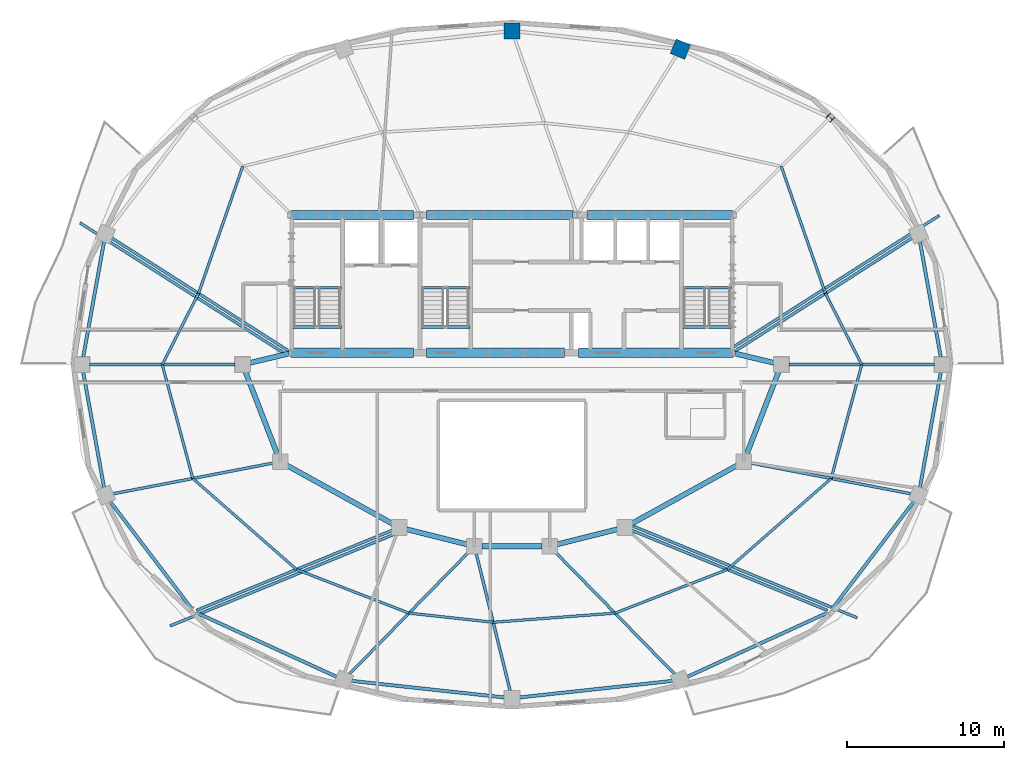
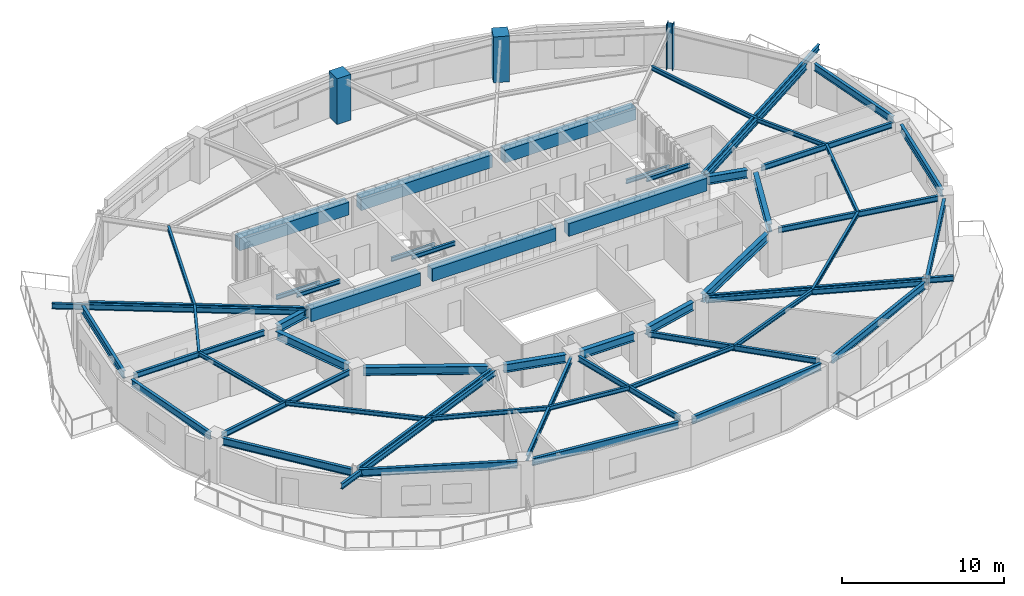
# One storey, part 2 of 11: 58 beams, 3 columns.
"""IFC4 building model written with IfcOpenShell, lengths in metres."""

from ifc_helpers import new_model, si_unit, direction, frame, origin, origin_2d, place, context, subcontext, project, spatial, rectangle, i_section, extrude, material, material_profile, profile_set, type_object, element, save


model = new_model("IFC4")

# Units and contexts
model_context = context("Model", 3, precision=1e-05, world=origin(), true_north=direction((0.0, 1.0)))
body_context = subcontext(model_context, "Body", "Model", "MODEL_VIEW")
ifc_project = project(units=[si_unit("LENGTHUNIT", "METRE"), si_unit("AREAUNIT", "SQUARE_METRE"), si_unit("VOLUMEUNIT", "CUBIC_METRE"), si_unit("PLANEANGLEUNIT", "RADIAN"), si_unit("MASSUNIT", "GRAM", prefix="KILO")], contexts=[model_context])

# Site, building, storey
site_placement = place(None, origin())
site = spatial("IfcSite", under=ifc_project, at=site_placement, CompositionType="ELEMENT")
building_placement = place(site_placement, origin())
building = spatial("IfcBuilding", under=site, at=building_placement, Name="Haldorwick Loom Tower", CompositionType="ELEMENT")
storey_placement = place(building_placement, frame((0.0, 0.0, 227.10009765625)))
storey = spatial("IfcBuildingStorey", under=building, at=storey_placement, Name="L61", CompositionType="ELEMENT", Elevation=227.10009765625)

# Columns
ifc_material_1 = material(Name="Concrete C60 (60 MPa)", Category="concrete")
ifc_material_profile_1 = material_profile(ifc_material_1, rectangle(XDim=1.0, YDim=1.0, at=origin_2d()), Name="RC1000X1000", Category="concrete")
ifc_profile_set_1 = profile_set([ifc_material_profile_1], Name="Concrete C60 (60 MPa)")
column_type_1 = type_object("IfcColumnType", Name="STR-COL-RC1000", PredefinedType="COLUMN", material=ifc_profile_set_1)
for number, where, z_axis, x_axis, name in (
    (1, (46.75341796875, 46.140625, 0.0), (0.0, 0.0, 1.0), (0.382683432365, 0.923879532511, 0.0), "L61 Perimeter Pier Column P04"),
    (2, (36.0, 47.304931640625, 0.0), (0.0, 0.0, 1.0), (0.0, 1.0, 0.0), "L61 Perimeter Pier Column P05"),
):
    element("IfcColumn", number, at=place(storey_placement, frame(where, z_axis=z_axis, x_axis=x_axis)), inside=storey, type_object=column_type_1, Name=name, PredefinedType="COLUMN", context=body_context, shape_type="SweptSolid", body=[
        extrude(rectangle(XDim=1.0, YDim=1.0, at=origin_2d()), origin(), (0.0, 0.0, 1.0), 3.449951171875),
    ])
ifc_material_2 = material(Name="Steel CSA G40.21 350W", Category="steel")
ifc_material_profile_2 = material_profile(ifc_material_2, i_section(OverallWidth=0.406005859375, OverallDepth=0.416015625, WebThickness=0.024169921875, FlangeThickness=0.03857421875, at=origin_2d()), Name="W360X382", Category="steel")
ifc_profile_set_2 = profile_set([ifc_material_profile_2], Name="Steel CSA G40.21 350W")
column_type_2 = type_object("IfcColumnType", Name="STR-COL-W360X382", PredefinedType="COLUMN", material=ifc_profile_set_2)
column_placement = place(storey_placement, frame((56.317626953125, 41.764892578125, 0.0), z_axis=(0.0, 0.0, 1.0), x_axis=(0.707106781187, 0.707106781187, 0.0)))
element("IfcColumn", 3, at=column_placement, inside=storey, type_object=column_type_2, Name="L61 Perimeter Pier Column P03", PredefinedType="COLUMN", context=body_context, shape_type="SweptSolid", body=[
    extrude(i_section(OverallWidth=0.406005859375, OverallDepth=0.416015625, WebThickness=0.024169921875, FlangeThickness=0.03857421875, at=origin_2d()), origin(), (0.0, 0.0, 1.0), 3.449951171875),
])

# Beams
ifc_material_profile_3 = material_profile(ifc_material_2, i_section(OverallWidth=0.179931640625, OverallDepth=0.4130859375, WebThickness=0.009765625, FlangeThickness=0.01611328125, at=origin_2d()), Name="W410X74", Category="steel")
ifc_profile_set_3 = profile_set([ifc_material_profile_3], Name="Steel CSA G40.21 350W")
beam_type_1 = type_object("IfcBeamType", Name="STR-BM-BAL410", PredefinedType="BEAM", material=ifc_profile_set_3)
beam_1_placement = place(storey_placement, frame((43.74560546875, 15.679443359375, 3.00341796875), z_axis=(0.925580184245, -0.378551611451, 0.0), x_axis=(0.378551611451, 0.925580184245, 0.0)))
element("IfcBeam", 4, at=beam_1_placement, inside=storey, type_object=beam_type_1, Name="L61 Continuous Back-Spanned Balcony Beam 1", PredefinedType="BEAM", context=body_context, shape_type="SweptSolid", body=[
    extrude(i_section(OverallWidth=0.179931640625, OverallDepth=0.4130859375, WebThickness=0.009765625, FlangeThickness=0.01611328125, at=origin_2d()), origin(), (0.0, 0.0, 1.0), 15.447509765625),
])
beam_2_placement = place(storey_placement, frame((28.46630859375, 15.160888671875, 3.00341796875), z_axis=(-0.925585721791, -0.378538071556, 0.0), x_axis=(0.378538071556, -0.925585721791, 0.0)))
element("IfcBeam", 5, at=beam_2_placement, inside=storey, type_object=beam_type_1, Name="L61 Continuous Back-Spanned Balcony Beam 2", PredefinedType="BEAM", context=body_context, shape_type="SweptSolid", body=[
    extrude(i_section(OverallWidth=0.179931640625, OverallDepth=0.4130859375, WebThickness=0.009765625, FlangeThickness=0.01611328125, at=origin_2d()), origin(), (0.0, 0.0, 1.0), 15.447265625),
])
for number, where, z_axis, x_axis, name in (
    (6, (21.62939453125, 26.60986328125, 3.00341796875), (-0.842844376394, 0.538157372133, 0.0), (-0.538157372133, -0.842844376394, 0.0), "L61 Continuous Back-Spanned Balcony Beam 3"),
    (7, (50.0693359375, 27.081787109375, 3.00341796875), (0.842844376394, 0.538157372133, 0.0), (-0.538157372133, 0.842844376394, 0.0), "L61 Continuous Back-Spanned Balcony Beam 4"),
):
    element("IfcBeam", number, at=place(storey_placement, frame(where, z_axis=z_axis, x_axis=x_axis)), inside=storey, type_object=beam_type_1, Name=name, PredefinedType="BEAM", context=body_context, shape_type="SweptSolid", body=[
        extrude(i_section(OverallWidth=0.179931640625, OverallDepth=0.4130859375, WebThickness=0.009765625, FlangeThickness=0.01611328125, at=origin_2d()), origin(), (0.0, 0.0, 1.0), 15.680419921875),
    ])
ifc_material_3 = material(Name="Concrete C50 (50 MPa)", Category="concrete")
ifc_material_profile_4 = material_profile(ifc_material_3, rectangle(XDim=0.60009765625, YDim=0.949951171875, at=origin_2d()), Name="RC600X950", Category="concrete")
ifc_profile_set_4 = profile_set([ifc_material_profile_4], Name="Concrete C50 (50 MPa)")
beam_type_2 = type_object("IfcBeamType", Name="STR-BM-CB950", PredefinedType="LINTEL", material=ifc_profile_set_4)
beam_3_placement = place(storey_placement, frame((21.89990234375, 35.550048828125, 2.73486328125), z_axis=(1.0, 0.0, 0.0), x_axis=(0.0, 1.0, 0.0)))
element("IfcBeam", 8, at=beam_3_placement, inside=storey, type_object=beam_type_2, Name="L61 Core Coupling Beam CB-N1", PredefinedType="LINTEL", context=body_context, shape_type="SweptSolid", body=[
    extrude(rectangle(XDim=0.60009765625, YDim=0.949951171875, at=origin_2d()), origin(), (0.0, 0.0, 1.0), 7.800048828125),
])
beam_4_placement = place(storey_placement, frame((30.550048828125, 35.550048828125, 2.73486328125), z_axis=(1.0, 0.0, 0.0), x_axis=(0.0, 1.0, 0.0)))
element("IfcBeam", 9, at=beam_4_placement, inside=storey, type_object=beam_type_2, Name="L61 Core Coupling Beam CB-N2", PredefinedType="LINTEL", context=body_context, shape_type="SweptSolid", body=[
    extrude(rectangle(XDim=0.60009765625, YDim=0.949951171875, at=origin_2d()), origin(), (0.0, 0.0, 1.0), 9.349853515625),
])
beam_5_placement = place(storey_placement, frame((40.800048828125, 35.550048828125, 2.73486328125), z_axis=(1.0, 0.0, 0.0), x_axis=(0.0, 1.0, 0.0)))
element("IfcBeam", 10, at=beam_5_placement, inside=storey, type_object=beam_type_2, Name="L61 Core Coupling Beam CB-N3", PredefinedType="LINTEL", context=body_context, shape_type="SweptSolid", body=[
    extrude(rectangle(XDim=0.60009765625, YDim=0.949951171875, at=origin_2d()), origin(), (0.0, 0.0, 1.0), 9.300048828125),
])
beam_6_placement = place(storey_placement, frame((21.89990234375, 26.75, 2.73486328125), z_axis=(1.0, 0.0, 0.0), x_axis=(0.0, 1.0, 0.0)))
element("IfcBeam", 11, at=beam_6_placement, inside=storey, type_object=beam_type_2, Name="L61 Core Coupling Beam CB-S1", PredefinedType="LINTEL", context=body_context, shape_type="SweptSolid", body=[
    extrude(rectangle(XDim=0.60009765625, YDim=0.949951171875, at=origin_2d()), origin(), (0.0, 0.0, 1.0), 7.800048828125),
])
beam_7_placement = place(storey_placement, frame((30.550048828125, 26.75, 2.73486328125), z_axis=(1.0, 0.0, 0.0), x_axis=(0.0, 1.0, 0.0)))
element("IfcBeam", 12, at=beam_7_placement, inside=storey, type_object=beam_type_2, Name="L61 Core Coupling Beam CB-S2", PredefinedType="LINTEL", context=body_context, shape_type="SweptSolid", body=[
    extrude(rectangle(XDim=0.60009765625, YDim=0.949951171875, at=origin_2d()), origin(), (0.0, 0.0, 1.0), 8.800048828125),
])
beam_8_placement = place(storey_placement, frame((40.25, 26.75, 2.73486328125), z_axis=(1.0, 0.0, 0.0), x_axis=(0.0, 1.0, 0.0)))
element("IfcBeam", 13, at=beam_8_placement, inside=storey, type_object=beam_type_2, Name="L61 Core Coupling Beam CB-S3", PredefinedType="LINTEL", context=body_context, shape_type="SweptSolid", body=[
    extrude(rectangle(XDim=0.60009765625, YDim=0.949951171875, at=origin_2d()), origin(), (0.0, 0.0, 1.0), 9.85009765625),
])
ifc_material_profile_5 = material_profile(ifc_material_2, i_section(OverallWidth=0.166015625, OverallDepth=0.31298828125, WebThickness=0.006591796875, FlangeThickness=0.01123046875, at=origin_2d()), Name="W310X45", Category="steel")
ifc_profile_set_5 = profile_set([ifc_material_profile_5], Name="Steel CSA G40.21 350W")
beam_type_3 = type_object("IfcBeamType", Name="STR-BM-J310", PredefinedType="JOIST", material=ifc_profile_set_5)
beam_9_placement = place(storey_placement, frame((58.333251953125, 26.0, 3.053466796875), z_axis=(-0.454203827517, 0.890897796085, 0.0), x_axis=(-0.890897796085, -0.454203827517, 0.0)))
element("IfcBeam", 14, at=beam_9_placement, inside=storey, type_object=beam_type_3, Name="L61 Mid-Bay Secondary Joist 1", PredefinedType="JOIST", context=body_context, shape_type="SweptSolid", body=[
    extrude(i_section(OverallWidth=0.166015625, OverallDepth=0.31298828125, WebThickness=0.006591796875, FlangeThickness=0.01123046875, at=origin_2d()), origin(), (0.0, 0.0, 1.0), 5.103271484375),
])
for number, where, z_axis, x_axis, name in (
    (15, (56.015380859375, 30.54638671875, 3.053466796875), (-0.328550395803, 0.944486441098, 0.0), (-0.944486441098, -0.328550395803, 0.0), "L61 Mid-Bay Secondary Joist 2"),
    (16, (18.80615234375, 38.657470703125, 3.053466796875), (-0.328550395803, -0.944486441098, 0.0), (0.944486441098, -0.328550395803, 0.0), "L61 Mid-Bay Secondary Joist 7"),
):
    element("IfcBeam", number, at=place(storey_placement, frame(where, z_axis=z_axis, x_axis=x_axis)), inside=storey, type_object=beam_type_3, Name=name, PredefinedType="JOIST", context=body_context, shape_type="SweptSolid", body=[
        extrude(i_section(OverallWidth=0.166015625, OverallDepth=0.31298828125, WebThickness=0.006591796875, FlangeThickness=0.01123046875, at=origin_2d()), origin(), (0.0, 0.0, 1.0), 8.587890625),
    ])
beam_10_placement = place(storey_placement, frame((15.984619140625, 30.54638671875, 3.053466796875), z_axis=(-0.454203827517, -0.890897796085, 0.0), x_axis=(0.890897796085, -0.454203827517, 0.0)))
element("IfcBeam", 17, at=beam_10_placement, inside=storey, type_object=beam_type_3, Name="L61 Mid-Bay Secondary Joist 8", PredefinedType="JOIST", context=body_context, shape_type="SweptSolid", body=[
    extrude(i_section(OverallWidth=0.166015625, OverallDepth=0.31298828125, WebThickness=0.006591796875, FlangeThickness=0.01123046875, at=origin_2d()), origin(), (0.0, 0.0, 1.0), 5.103271484375),
])
beam_11_placement = place(storey_placement, frame((13.666748046875, 26.0, 3.053466796875), z_axis=(0.259353588718, -0.965782437208, 0.0), x_axis=(0.965782437208, 0.259353588718, 0.0)))
element("IfcBeam", 18, at=beam_11_placement, inside=storey, type_object=beam_type_3, Name="L61 Mid-Bay Secondary Joist 9", PredefinedType="JOIST", context=body_context, shape_type="SweptSolid", body=[
    extrude(i_section(OverallWidth=0.166015625, OverallDepth=0.31298828125, WebThickness=0.006591796875, FlangeThickness=0.01123046875, at=origin_2d()), origin(), (0.0, 0.0, 1.0), 7.52880859375),
])
beam_12_placement = place(storey_placement, frame((15.619384765625, 18.728759765625, 3.053466796875), z_axis=(0.751609427289, -0.659608420815, 0.0), x_axis=(0.659608420815, 0.751609427289, 0.0)))
element("IfcBeam", 19, at=beam_12_placement, inside=storey, type_object=beam_type_3, Name="L61 Mid-Bay Secondary Joist 10", PredefinedType="JOIST", context=body_context, shape_type="SweptSolid", body=[
    extrude(i_section(OverallWidth=0.166015625, OverallDepth=0.31298828125, WebThickness=0.006591796875, FlangeThickness=0.01123046875, at=origin_2d()), origin(), (0.0, 0.0, 1.0), 8.810302734375),
])
beam_13_placement = place(storey_placement, frame((22.2412109375, 12.91748046875, 3.053466796875), z_axis=(0.932232852675, -0.36185896202, 0.0), x_axis=(0.36185896202, 0.932232852675, 0.0)))
element("IfcBeam", 20, at=beam_13_placement, inside=storey, type_object=beam_type_3, Name="L61 Mid-Bay Secondary Joist 11", PredefinedType="JOIST", context=body_context, shape_type="SweptSolid", body=[
    extrude(i_section(OverallWidth=0.166015625, OverallDepth=0.31298828125, WebThickness=0.006591796875, FlangeThickness=0.01123046875, at=origin_2d()), origin(), (0.0, 0.0, 1.0), 7.7041015625),
])
beam_14_placement = place(storey_placement, frame((29.42333984375, 10.129638671875, 3.053466796875), z_axis=(0.994191913888, -0.107621737398, 0.0), x_axis=(0.107621737398, 0.994191913888, 0.0)))
element("IfcBeam", 21, at=beam_14_placement, inside=storey, type_object=beam_type_3, Name="L61 Mid-Bay Secondary Joist 12", PredefinedType="JOIST", context=body_context, shape_type="SweptSolid", body=[
    extrude(i_section(OverallWidth=0.166015625, OverallDepth=0.31298828125, WebThickness=0.006591796875, FlangeThickness=0.01123046875, at=origin_2d()), origin(), (0.0, 0.0, 1.0), 5.408203125),
])
beam_15_placement = place(storey_placement, frame((34.800048828125, 9.547607421875, 3.053466796875), z_axis=(0.997210913817, 0.074635067923, 0.0), x_axis=(-0.074635067923, 0.997210913817, 0.0)))
element("IfcBeam", 22, at=beam_15_placement, inside=storey, type_object=beam_type_3, Name="L61 Mid-Bay Secondary Joist 13", PredefinedType="JOIST", context=body_context, shape_type="SweptSolid", body=[
    extrude(i_section(OverallWidth=0.166015625, OverallDepth=0.31298828125, WebThickness=0.006591796875, FlangeThickness=0.01123046875, at=origin_2d()), origin(), (0.0, 0.0, 1.0), 7.79833984375),
])
beam_16_placement = place(storey_placement, frame((42.57666015625, 10.129638671875, 3.053466796875), z_axis=(0.932232852675, 0.36185896202, 0.0), x_axis=(-0.36185896202, 0.932232852675, 0.0)))
element("IfcBeam", 23, at=beam_16_placement, inside=storey, type_object=beam_type_3, Name="L61 Mid-Bay Secondary Joist 14", PredefinedType="JOIST", context=body_context, shape_type="SweptSolid", body=[
    extrude(i_section(OverallWidth=0.166015625, OverallDepth=0.31298828125, WebThickness=0.006591796875, FlangeThickness=0.01123046875, at=origin_2d()), origin(), (0.0, 0.0, 1.0), 7.7041015625),
])
beam_17_placement = place(storey_placement, frame((49.7587890625, 12.91748046875, 3.053466796875), z_axis=(0.751609427289, 0.659608420815, 0.0), x_axis=(-0.659608420815, 0.751609427289, 0.0)))
element("IfcBeam", 24, at=beam_17_placement, inside=storey, type_object=beam_type_3, Name="L61 Mid-Bay Secondary Joist 15", PredefinedType="JOIST", context=body_context, shape_type="SweptSolid", body=[
    extrude(i_section(OverallWidth=0.166015625, OverallDepth=0.31298828125, WebThickness=0.006591796875, FlangeThickness=0.01123046875, at=origin_2d()), origin(), (0.0, 0.0, 1.0), 8.810302734375),
])
beam_18_placement = place(storey_placement, frame((56.380615234375, 18.728759765625, 3.053466796875), z_axis=(0.259353588718, 0.965782437208, 0.0), x_axis=(-0.965782437208, 0.259353588718, 0.0)))
element("IfcBeam", 25, at=beam_18_placement, inside=storey, type_object=beam_type_3, Name="L61 Mid-Bay Secondary Joist 16", PredefinedType="JOIST", context=body_context, shape_type="SweptSolid", body=[
    extrude(i_section(OverallWidth=0.166015625, OverallDepth=0.31298828125, WebThickness=0.006591796875, FlangeThickness=0.01123046875, at=origin_2d()), origin(), (0.0, 0.0, 1.0), 7.52880859375),
])
ifc_material_profile_6 = material_profile(ifc_material_2, i_section(OverallWidth=0.179931640625, OverallDepth=0.4130859375, WebThickness=0.009765625, FlangeThickness=0.01611328125, at=origin_2d()), Name="W410X74", Category="steel")
ifc_profile_set_6 = profile_set([ifc_material_profile_6], Name="Steel CSA G40.21 350W")
beam_type_4 = type_object("IfcBeamType", Name="STR-BM-J410", PredefinedType="JOIST", material=ifc_profile_set_6)
beam_19_placement = place(storey_placement, frame((53.675048828125, 26.0, 3.00341796875), z_axis=(1.0, 0.0, 0.0), x_axis=(0.0, 1.0, 0.0)))
element("IfcBeam", 26, at=beam_19_placement, inside=storey, type_object=beam_type_4, Name="L61 Radial Floor Girder 1", PredefinedType="JOIST", context=body_context, shape_type="SweptSolid", body=[
    extrude(i_section(OverallWidth=0.179931640625, OverallDepth=0.4130859375, WebThickness=0.009765625, FlangeThickness=0.01611328125, at=origin_2d()), origin(), (0.0, 0.0, 1.0), 9.31640625),
])
for number, where, z_axis, x_axis, name in (
    (27, (50.219970703125, 26.845703125, 3.00341796875), (0.842841662301, 0.538161622833, 0.0), (-0.538161622833, 0.842841662301, 0.0), "L61 Radial Floor Girder 2"),
    (28, (21.780029296875, 26.845703125, 3.00341796875), (-0.842841662301, 0.538161622833, 0.0), (-0.538161622833, -0.842841662301, 0.0), "L61 Radial Floor Girder 8"),
):
    element("IfcBeam", number, at=place(storey_placement, frame(where, z_axis=z_axis, x_axis=x_axis)), inside=storey, type_object=beam_type_4, Name=name, PredefinedType="JOIST", context=body_context, shape_type="SweptSolid", body=[
        extrude(i_section(OverallWidth=0.179931640625, OverallDepth=0.4130859375, WebThickness=0.009765625, FlangeThickness=0.01611328125, at=origin_2d()), origin(), (0.0, 0.0, 1.0), 13.45556640625),
    ])
beam_20_placement = place(storey_placement, frame((18.324951171875, 26.0, 3.00341796875), z_axis=(-1.0, 0.0, 0.0), x_axis=(0.0, -1.0, 0.0)))
element("IfcBeam", 29, at=beam_20_placement, inside=storey, type_object=beam_type_4, Name="L61 Radial Floor Girder 9", PredefinedType="JOIST", context=body_context, shape_type="SweptSolid", body=[
    extrude(i_section(OverallWidth=0.179931640625, OverallDepth=0.4130859375, WebThickness=0.009765625, FlangeThickness=0.01611328125, at=origin_2d()), origin(), (0.0, 0.0, 1.0), 9.31640625),
])
beam_21_placement = place(storey_placement, frame((20.7333984375, 19.71044921875, 3.00341796875), z_axis=(-0.982068761346, -0.188523070173, 0.0), x_axis=(0.188523070173, -0.982068761346, 0.0)))
element("IfcBeam", 30, at=beam_21_placement, inside=storey, type_object=beam_type_4, Name="L61 Radial Floor Girder 10", PredefinedType="JOIST", context=body_context, shape_type="SweptSolid", body=[
    extrude(i_section(OverallWidth=0.179931640625, OverallDepth=0.4130859375, WebThickness=0.009765625, FlangeThickness=0.01611328125, at=origin_2d()), origin(), (0.0, 0.0, 1.0), 10.41455078125),
])
beam_22_placement = place(storey_placement, frame((28.3603515625, 15.420166015625, 3.00341796875), z_axis=(-0.925582046891, -0.378547057145, 0.0), x_axis=(0.378547057145, -0.925582046891, 0.0)))
element("IfcBeam", 31, at=beam_22_placement, inside=storey, type_object=beam_type_4, Name="L61 Radial Floor Girder 11", PredefinedType="JOIST", context=body_context, shape_type="SweptSolid", body=[
    extrude(i_section(OverallWidth=0.179931640625, OverallDepth=0.4130859375, WebThickness=0.009765625, FlangeThickness=0.01611328125, at=origin_2d()), origin(), (0.0, 0.0, 1.0), 13.519287109375),
])
beam_23_placement = place(storey_placement, frame((33.267822265625, 14.060302734375, 3.00341796875), z_axis=(-0.6992374297, -0.714889513775, 0.0), x_axis=(0.714889513775, -0.6992374297, 0.0)))
element("IfcBeam", 32, at=beam_23_placement, inside=storey, type_object=beam_type_4, Name="L61 Radial Floor Girder 12", PredefinedType="JOIST", context=body_context, shape_type="SweptSolid", body=[
    extrude(i_section(OverallWidth=0.179931640625, OverallDepth=0.4130859375, WebThickness=0.009765625, FlangeThickness=0.01611328125, at=origin_2d()), origin(), (0.0, 0.0, 1.0), 10.99658203125),
])
beam_24_placement = place(storey_placement, frame((33.714111328125, 13.93896484375, 3.00341796875), z_axis=(0.240052275929, -0.970759962515, 0.0), x_axis=(0.970759962515, 0.240052275929, 0.0)))
element("IfcBeam", 33, at=beam_24_placement, inside=storey, type_object=beam_type_4, Name="L61 Radial Floor Girder 13", PredefinedType="JOIST", context=body_context, shape_type="SweptSolid", body=[
    extrude(i_section(OverallWidth=0.179931640625, OverallDepth=0.4130859375, WebThickness=0.009765625, FlangeThickness=0.01611328125, at=origin_2d()), origin(), (0.0, 0.0, 1.0), 9.047607421875),
])
beam_25_placement = place(storey_placement, frame((38.732177734375, 14.060302734375, 3.00341796875), z_axis=(0.6992374297, -0.714889513775, 0.0), x_axis=(0.714889513775, 0.6992374297, 0.0)))
element("IfcBeam", 34, at=beam_25_placement, inside=storey, type_object=beam_type_4, Name="L61 Radial Floor Girder 14", PredefinedType="JOIST", context=body_context, shape_type="SweptSolid", body=[
    extrude(i_section(OverallWidth=0.179931640625, OverallDepth=0.4130859375, WebThickness=0.009765625, FlangeThickness=0.01611328125, at=origin_2d()), origin(), (0.0, 0.0, 1.0), 10.99658203125),
])
beam_26_placement = place(storey_placement, frame((43.6396484375, 15.420166015625, 3.00341796875), z_axis=(0.925582046891, -0.378547057145, 0.0), x_axis=(0.378547057145, 0.925582046891, 0.0)))
element("IfcBeam", 35, at=beam_26_placement, inside=storey, type_object=beam_type_4, Name="L61 Radial Floor Girder 15", PredefinedType="JOIST", context=body_context, shape_type="SweptSolid", body=[
    extrude(i_section(OverallWidth=0.179931640625, OverallDepth=0.4130859375, WebThickness=0.009765625, FlangeThickness=0.01611328125, at=origin_2d()), origin(), (0.0, 0.0, 1.0), 13.519287109375),
])
beam_27_placement = place(storey_placement, frame((51.2666015625, 19.71044921875, 3.00341796875), z_axis=(0.982068761346, -0.188523070173, 0.0), x_axis=(0.188523070173, 0.982068761346, 0.0)))
element("IfcBeam", 36, at=beam_27_placement, inside=storey, type_object=beam_type_4, Name="L61 Radial Floor Girder 16", PredefinedType="JOIST", context=body_context, shape_type="SweptSolid", body=[
    extrude(i_section(OverallWidth=0.179931640625, OverallDepth=0.4130859375, WebThickness=0.009765625, FlangeThickness=0.01611328125, at=origin_2d()), origin(), (0.0, 0.0, 1.0), 10.41455078125),
])
ifc_material_profile_7 = material_profile(ifc_material_2, i_section(OverallWidth=0.2119140625, OverallDepth=0.5439453125, WebThickness=0.01318359375, FlangeThickness=0.021240234375, at=origin_2d()), Name="W530X123", Category="steel")
ifc_profile_set_7 = profile_set([ifc_material_profile_7], Name="Steel CSA G40.21 350W")
beam_type_5 = type_object("IfcBeamType", Name="STR-BM-SP530", PredefinedType="SPANDREL", material=ifc_profile_set_7)
for number, where, z_axis, x_axis, name in (
    (37, (63.382080078125, 26.467529296875, 2.93798828125), (-0.177580880494, 0.984106209148, 0.0), (-0.984106209148, -0.177580880494, 0.0), "L61 Perimeter Spandrel 1"),
    (38, (9.95458984375, 33.875, 2.93798828125), (-0.177580880494, -0.984106209148, 0.0), (0.984106209148, -0.177580880494, 0.0), "L61 Perimeter Spandrel 8"),
    (39, (8.617919921875, 25.532470703125, 2.93798828125), (0.177580880494, -0.984106209148, 0.0), (0.984106209148, 0.177580880494, 0.0), "L61 Perimeter Spandrel 9"),
):
    element("IfcBeam", number, at=place(storey_placement, frame(where, z_axis=z_axis, x_axis=x_axis)), inside=storey, type_object=beam_type_5, Name=name, PredefinedType="SPANDREL", context=body_context, shape_type="SweptSolid", body=[
        extrude(i_section(OverallWidth=0.2119140625, OverallDepth=0.5439453125, WebThickness=0.01318359375, FlangeThickness=0.021240234375, at=origin_2d()), origin(), (0.0, 0.0, 1.0), 7.527099609375),
    ])
beam_28_placement = place(storey_placement, frame((10.326416015625, 17.279296875, 2.93798828125), z_axis=(0.605253156055, -0.796033050247, 0.0), x_axis=(0.796033050247, 0.605253156055, 0.0)))
element("IfcBeam", 40, at=beam_28_placement, inside=storey, type_object=beam_type_5, Name="L61 Perimeter Spandrel 10", PredefinedType="SPANDREL", context=body_context, shape_type="SweptSolid", body=[
    extrude(i_section(OverallWidth=0.2119140625, OverallDepth=0.5439453125, WebThickness=0.01318359375, FlangeThickness=0.021240234375, at=origin_2d()), origin(), (0.0, 0.0, 1.0), 8.671142578125),
])
beam_29_placement = place(storey_placement, frame((15.84423828125, 10.160888671875, 2.93798828125), z_axis=(0.909350907904, -0.41602995841, 0.0), x_axis=(0.41602995841, 0.909350907904, 0.0)))
element("IfcBeam", 41, at=beam_29_placement, inside=storey, type_object=beam_type_5, Name="L61 Perimeter Spandrel 11", PredefinedType="SPANDREL", context=body_context, shape_type="SweptSolid", body=[
    extrude(i_section(OverallWidth=0.2119140625, OverallDepth=0.5439453125, WebThickness=0.01318359375, FlangeThickness=0.021240234375, at=origin_2d()), origin(), (0.0, 0.0, 1.0), 9.86474609375),
])
for number, where, z_axis, x_axis, name in (
    (42, (25.71875, 5.808349609375, 2.93798828125), (0.994187378218, -0.107663628917, 0.0), (0.107663628917, 0.994187378218, 0.0), "L61 Perimeter Spandrel 12"),
    (43, (36.47216796875, 4.74609375, 2.93798828125), (0.994187378218, 0.107663628917, 0.0), (-0.107663628917, 0.994187378218, 0.0), "L61 Perimeter Spandrel 13"),
):
    element("IfcBeam", number, at=place(storey_placement, frame(where, z_axis=z_axis, x_axis=x_axis)), inside=storey, type_object=beam_type_5, Name=name, PredefinedType="SPANDREL", context=body_context, shape_type="SweptSolid", body=[
        extrude(i_section(OverallWidth=0.2119140625, OverallDepth=0.5439453125, WebThickness=0.01318359375, FlangeThickness=0.021240234375, at=origin_2d()), origin(), (0.0, 0.0, 1.0), 9.866455078125),
    ])
beam_30_placement = place(storey_placement, frame((47.185302734375, 6.056884765625, 2.93798828125), z_axis=(0.909350907904, 0.41602995841, 0.0), x_axis=(-0.41602995841, 0.909350907904, 0.0)))
element("IfcBeam", 44, at=beam_30_placement, inside=storey, type_object=beam_type_5, Name="L61 Perimeter Spandrel 14", PredefinedType="SPANDREL", context=body_context, shape_type="SweptSolid", body=[
    extrude(i_section(OverallWidth=0.2119140625, OverallDepth=0.5439453125, WebThickness=0.01318359375, FlangeThickness=0.021240234375, at=origin_2d()), origin(), (0.0, 0.0, 1.0), 9.86474609375),
])
beam_31_placement = place(storey_placement, frame((56.42529296875, 10.376708984375, 2.93798828125), z_axis=(0.605253156055, 0.796033050247, 0.0), x_axis=(-0.796033050247, 0.605253156055, 0.0)))
element("IfcBeam", 45, at=beam_31_placement, inside=storey, type_object=beam_type_5, Name="L61 Perimeter Spandrel 15", PredefinedType="SPANDREL", context=body_context, shape_type="SweptSolid", body=[
    extrude(i_section(OverallWidth=0.2119140625, OverallDepth=0.5439453125, WebThickness=0.01318359375, FlangeThickness=0.021240234375, at=origin_2d()), origin(), (0.0, 0.0, 1.0), 8.671142578125),
])
beam_32_placement = place(storey_placement, frame((62.04541015625, 18.125, 2.93798828125), z_axis=(0.177580880494, 0.984106209148, 0.0), x_axis=(-0.984106209148, 0.177580880494, 0.0)))
element("IfcBeam", 46, at=beam_32_placement, inside=storey, type_object=beam_type_5, Name="L61 Perimeter Spandrel 16", PredefinedType="SPANDREL", context=body_context, shape_type="SweptSolid", body=[
    extrude(i_section(OverallWidth=0.2119140625, OverallDepth=0.5439453125, WebThickness=0.01318359375, FlangeThickness=0.021240234375, at=origin_2d()), origin(), (0.0, 0.0, 1.0), 7.527099609375),
])
ifc_material_profile_8 = material_profile(ifc_material_2, i_section(OverallWidth=0.166015625, OverallDepth=0.31298828125, WebThickness=0.006591796875, FlangeThickness=0.01123046875, at=origin_2d()), Name="W310X45", Category="steel")
ifc_profile_set_8 = profile_set([ifc_material_profile_8], Name="Steel CSA G40.21 350W")
beam_type_6 = type_object("IfcBeamType", Name="STR-BM-STRM", PredefinedType="BEAM", material=ifc_profile_set_8)
for number, where, z_axis, x_axis, name in (
    (47, (21.989990234375, 28.39990234375, 3.053466796875), (1.0, 0.0, 0.0), (0.0, 1.0, 0.0), "L61 Stair ST-01 Landing Edge Trimmer"),
    (48, (21.989990234375, 30.919921875, 1.368408203125), (1.0, 0.0, 0.0), (0.0, 1.0, 0.0), "L61 Stair ST-01 Half-Landing Trimmer 1"),
    (49, (46.889892578125, 28.39990234375, 3.053466796875), (1.0, 0.0, 0.0), (0.0, 1.0, 0.0), "L61 Stair ST-02 Landing Edge Trimmer"),
    (50, (46.889892578125, 30.919921875, 1.368408203125), (1.0, 0.0, 0.0), (0.0, 1.0, 0.0), "L61 Stair ST-02 Half-Landing Trimmer 1"),
    (51, (30.18994140625, 28.39990234375, 3.053466796875), (1.0, 0.0, 0.0), (0.0, 1.0, 0.0), "L61 Stair ST-03 Landing Edge Trimmer"),
    (52, (30.18994140625, 30.919921875, 1.368408203125), (1.0, 0.0, 0.0), (0.0, 1.0, 0.0), "L61 Stair ST-03 Half-Landing Trimmer 1"),
):
    element("IfcBeam", number, at=place(storey_placement, frame(where, z_axis=z_axis, x_axis=x_axis)), inside=storey, type_object=beam_type_6, Name=name, PredefinedType="BEAM", context=body_context, shape_type="SweptSolid", body=[
        extrude(i_section(OverallWidth=0.166015625, OverallDepth=0.31298828125, WebThickness=0.006591796875, FlangeThickness=0.01123046875, at=origin_2d()), origin(), (0.0, 0.0, 1.0), 3.1201171875),
    ])
ifc_material_profile_9 = material_profile(ifc_material_2, i_section(OverallWidth=0.324951171875, OverallDepth=0.615966796875, WebThickness=0.013916015625, FlangeThickness=0.021484375, at=origin_2d()), Name="W610X174", Category="steel")
ifc_profile_set_9 = profile_set([ifc_material_profile_9], Name="Steel CSA G40.21 350W")
beam_type_7 = type_object("IfcBeamType", Name="STR-BM-W610A", PredefinedType="BEAM", material=ifc_profile_set_9)
beam_33_placement = place(storey_placement, frame((50.2431640625, 26.70849609375, 2.90185546875), z_axis=(0.972464127734, -0.233052612665, 0.0), x_axis=(0.233052612665, 0.972464127734, 0.0)))
element("IfcBeam", 53, at=beam_33_placement, inside=storey, type_object=beam_type_7, Name="L61 Inner Ring Girder 1", PredefinedType="BEAM", context=body_context, shape_type="SweptSolid", body=[
    extrude(i_section(OverallWidth=0.324951171875, OverallDepth=0.615966796875, WebThickness=0.013916015625, FlangeThickness=0.021484375, at=origin_2d()), origin(), (0.0, 0.0, 1.0), 2.5654296875),
])
beam_34_placement = place(storey_placement, frame((53.028564453125, 25.556884765625, 2.90185546875), z_axis=(-0.36101093026, -0.93256158415, 0.0), x_axis=(0.93256158415, -0.36101093026, 0.0)))
element("IfcBeam", 54, at=beam_34_placement, inside=storey, type_object=beam_type_7, Name="L61 Inner Ring Girder 2", PredefinedType="BEAM", context=body_context, shape_type="SweptSolid", body=[
    extrude(i_section(OverallWidth=0.324951171875, OverallDepth=0.615966796875, WebThickness=0.013916015625, FlangeThickness=0.021484375, at=origin_2d()), origin(), (0.0, 0.0, 1.0), 5.6982421875),
])
beam_35_placement = place(storey_placement, frame((50.38427734375, 19.5703125, 2.90185546875), z_axis=(-0.875243645673, -0.483682293152, 0.0), x_axis=(0.483682293152, -0.875243645673, 0.0)))
element("IfcBeam", 55, at=beam_35_placement, inside=storey, type_object=beam_type_7, Name="L61 Inner Ring Girder 3", PredefinedType="BEAM", context=body_context, shape_type="SweptSolid", body=[
    extrude(i_section(OverallWidth=0.324951171875, OverallDepth=0.615966796875, WebThickness=0.013916015625, FlangeThickness=0.021484375, at=origin_2d()), origin(), (0.0, 0.0, 1.0), 7.7333984375),
])
beam_36_placement = place(storey_placement, frame((42.7392578125, 15.48486328125, 2.90185546875), z_axis=(-0.970135315182, -0.242564363081, 0.0), x_axis=(0.242564363081, -0.970135315182, 0.0)))
element("IfcBeam", 56, at=beam_36_placement, inside=storey, type_object=beam_type_7, Name="L61 Inner Ring Girder 4", PredefinedType="BEAM", context=body_context, shape_type="SweptSolid", body=[
    extrude(i_section(OverallWidth=0.324951171875, OverallDepth=0.615966796875, WebThickness=0.013916015625, FlangeThickness=0.021484375, at=origin_2d()), origin(), (0.0, 0.0, 1.0), 3.997802734375),
])
beam_37_placement = place(storey_placement, frame((37.925048828125, 14.39990234375, 2.90185546875), z_axis=(-1.0, 0.0, 0.0), x_axis=(0.0, -1.0, 0.0)))
element("IfcBeam", 57, at=beam_37_placement, inside=storey, type_object=beam_type_7, Name="L61 Inner Ring Girder 5", PredefinedType="BEAM", context=body_context, shape_type="SweptSolid", body=[
    extrude(i_section(OverallWidth=0.324951171875, OverallDepth=0.615966796875, WebThickness=0.013916015625, FlangeThickness=0.021484375, at=origin_2d()), origin(), (0.0, 0.0, 1.0), 3.85009765625),
])
beam_38_placement = place(storey_placement, frame((33.13916015625, 14.51513671875, 2.90185546875), z_axis=(-0.970135315182, 0.242564363081, 0.0), x_axis=(-0.242564363081, -0.970135315182, 0.0)))
element("IfcBeam", 58, at=beam_38_placement, inside=storey, type_object=beam_type_7, Name="L61 Inner Ring Girder 6", PredefinedType="BEAM", context=body_context, shape_type="SweptSolid", body=[
    extrude(i_section(OverallWidth=0.324951171875, OverallDepth=0.615966796875, WebThickness=0.013916015625, FlangeThickness=0.021484375, at=origin_2d()), origin(), (0.0, 0.0, 1.0), 3.997802734375),
])
beam_39_placement = place(storey_placement, frame((28.38427734375, 15.829833984375, 2.90185546875), z_axis=(-0.875243645673, 0.483682293152, 0.0), x_axis=(-0.483682293152, -0.875243645673, 0.0)))
element("IfcBeam", 59, at=beam_39_placement, inside=storey, type_object=beam_type_7, Name="L61 Inner Ring Girder 7", PredefinedType="BEAM", context=body_context, shape_type="SweptSolid", body=[
    extrude(i_section(OverallWidth=0.324951171875, OverallDepth=0.615966796875, WebThickness=0.013916015625, FlangeThickness=0.021484375, at=origin_2d()), origin(), (0.0, 0.0, 1.0), 7.7333984375),
])
beam_40_placement = place(storey_placement, frame((21.028564453125, 20.242919921875, 2.90185546875), z_axis=(-0.36101093026, 0.93256158415, 0.0), x_axis=(-0.93256158415, -0.36101093026, 0.0)))
element("IfcBeam", 60, at=beam_40_placement, inside=storey, type_object=beam_type_7, Name="L61 Inner Ring Girder 8", PredefinedType="BEAM", context=body_context, shape_type="SweptSolid", body=[
    extrude(i_section(OverallWidth=0.324951171875, OverallDepth=0.615966796875, WebThickness=0.013916015625, FlangeThickness=0.021484375, at=origin_2d()), origin(), (0.0, 0.0, 1.0), 5.6982421875),
])
beam_41_placement = place(storey_placement, frame((19.261962890625, 26.110595703125, 2.90185546875), z_axis=(0.972464127734, 0.233052612665, 0.0), x_axis=(-0.233052612665, 0.972464127734, 0.0)))
element("IfcBeam", 61, at=beam_41_placement, inside=storey, type_object=beam_type_7, Name="L61 Inner Ring Girder 9", PredefinedType="BEAM", context=body_context, shape_type="SweptSolid", body=[
    extrude(i_section(OverallWidth=0.324951171875, OverallDepth=0.615966796875, WebThickness=0.013916015625, FlangeThickness=0.021484375, at=origin_2d()), origin(), (0.0, 0.0, 1.0), 2.5654296875),
])

save(model, "model.ifc")
